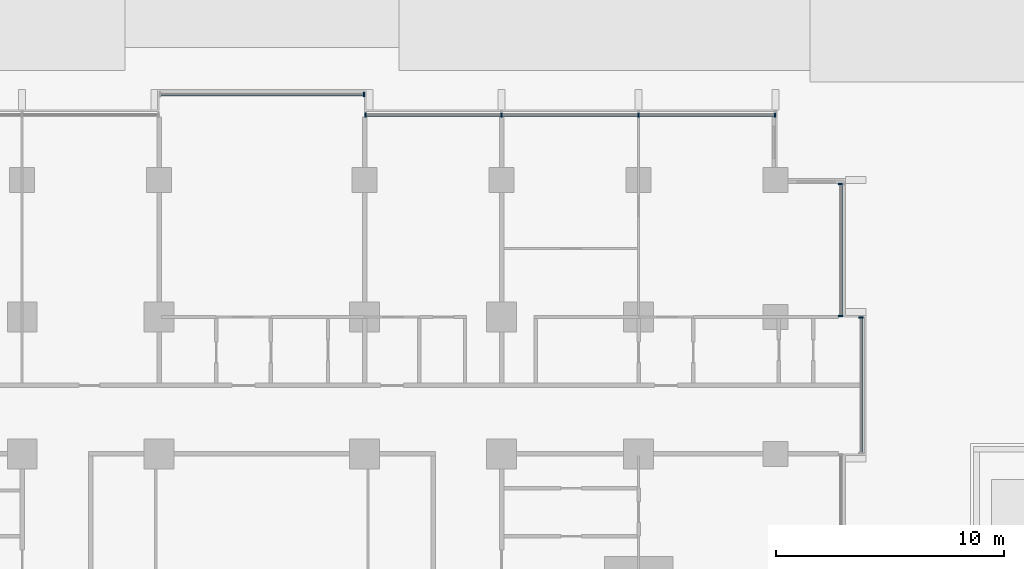
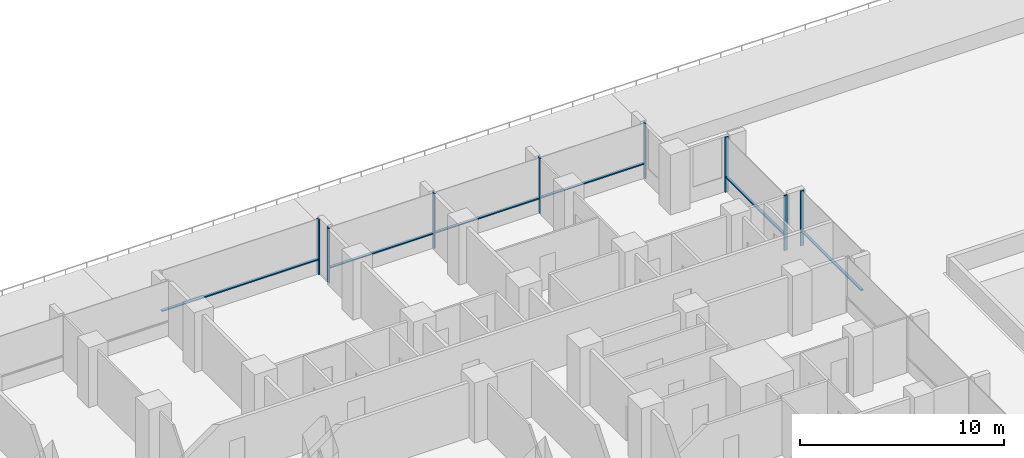
# One storey, part 6 of 25: 14 members, 4 elements without a shape of their own.
"""IFC4 building model written with IfcOpenShell, lengths in metres."""

from ifc_helpers import new_model, si_unit, direction, frame, origin, origin_2d, place, context, subcontext, project, spatial, rectangle, extrude, material, material_profile, profile_set, type_object, element, aggregate, save


model = new_model("IFC4")

# Units and contexts
model_context = context("Model", 3, precision=1e-05, world=origin(), true_north=direction((0.0, 1.0)))
body_context = subcontext(model_context, "Body", "Model", "MODEL_VIEW")
ifc_project = project(units=[si_unit("LENGTHUNIT", "METRE"), si_unit("AREAUNIT", "SQUARE_METRE"), si_unit("VOLUMEUNIT", "CUBIC_METRE"), si_unit("PLANEANGLEUNIT", "RADIAN"), si_unit("MASSUNIT", "GRAM", prefix="KILO")], contexts=[model_context])

# Site, building, storey
site_placement = place(None, origin())
site = spatial("IfcSite", under=ifc_project, at=site_placement, CompositionType="ELEMENT")
building_placement = place(site_placement, origin())
building = spatial("IfcBuilding", under=site, at=building_placement, Name="Finial Court Residences", CompositionType="ELEMENT")
storey_placement = place(building_placement, frame((0.0, 0.0, 32.5)))
storey = spatial("IfcBuildingStorey", under=building, at=storey_placement, Name="L06", CompositionType="ELEMENT", Elevation=32.5)

# Curtain wall, member
ifc_material = material(Name="Bronze anodised aluminium", Category="aluminium")
curtain_wall_type = type_object("IfcCurtainWallType", Name="Unitised curtain wall, lower and middle zones", PredefinedType="NOTDEFINED", material=ifc_material)
curtain_wall_1_placement = place(storey_placement, origin())
curtain_wall_1 = element("IfcCurtainWall", 1, at=curtain_wall_1_placement, inside=storey, type_object=curtain_wall_type, Name="E-L06-CW-N2", PredefinedType="NOTDEFINED")
ifc_material_profile_1 = material_profile(ifc_material, rectangle(XDim=0.199951171875, YDim=0.06494140625, at=origin_2d()), Name="CW1 mullion 65 x 200")
ifc_profile_set_1 = profile_set([ifc_material_profile_1], Name="Bronze anodised aluminium")
member_type_1 = type_object("IfcMemberType", Name="CW1 mullion 65 x 200", PredefinedType="MULLION", material=ifc_profile_set_1)
member_1_placement = place(storey_placement, frame((4.467529296875, 29.25, 0.0), z_axis=(0.0, 0.0, 1.0), x_axis=(0.0, 1.0, 0.0)))
member_1 = element("IfcMember", 2, at=member_1_placement, type_object=member_type_1, Name="CW1 mullion 2", PredefinedType="MULLION", context=body_context, shape_type="SweptSolid", body=[
    extrude(rectangle(XDim=0.199951171875, YDim=0.06494140625, at=origin_2d()), origin(), (0.0, 0.0, 1.0), 3.300048828125),
])

# Curtain wall, members
curtain_wall_2_placement = place(storey_placement, origin())
curtain_wall_2 = element("IfcCurtainWall", 3, at=curtain_wall_2_placement, inside=storey, type_object=curtain_wall_type, Name="E-L06-CW-N3", PredefinedType="NOTDEFINED")
member_2_placement = place(storey_placement, frame((4.532470703125, 28.35009765625, 0.0), z_axis=(0.0, 0.0, 1.0), x_axis=(0.0, 1.0, 0.0)))
member_2 = element("IfcMember", 4, at=member_2_placement, type_object=member_type_1, Name="CW1 mullion 1", PredefinedType="MULLION", context=body_context, shape_type="SweptSolid", body=[
    extrude(rectangle(XDim=0.199951171875, YDim=0.06494140625, at=origin_2d()), origin(), (0.0, 0.0, 1.0), 3.300048828125),
])
member_3_placement = place(storey_placement, frame((10.5, 28.35009765625, 0.0), z_axis=(0.0, 0.0, 1.0), x_axis=(0.0, 1.0, 0.0)))
member_3 = element("IfcMember", 5, at=member_3_placement, type_object=member_type_1, Name="CW1 mullion 2", PredefinedType="MULLION", context=body_context, shape_type="SweptSolid", body=[
    extrude(rectangle(XDim=0.199951171875, YDim=0.06494140625, at=origin_2d()), origin(), (0.0, 0.0, 1.0), 3.300048828125),
])
member_4_placement = place(storey_placement, frame((16.5, 28.35009765625, 0.0), z_axis=(0.0, 0.0, 1.0), x_axis=(0.0, 1.0, 0.0)))
member_4 = element("IfcMember", 6, at=member_4_placement, type_object=member_type_1, Name="CW1 mullion 3", PredefinedType="MULLION", context=body_context, shape_type="SweptSolid", body=[
    extrude(rectangle(XDim=0.199951171875, YDim=0.06494140625, at=origin_2d()), origin(), (0.0, 0.0, 1.0), 3.300048828125),
])
member_5_placement = place(storey_placement, frame((22.467529296875, 28.35009765625, 0.0), z_axis=(0.0, 0.0, 1.0), x_axis=(0.0, 1.0, 0.0)))
member_5 = element("IfcMember", 7, at=member_5_placement, type_object=member_type_1, Name="CW1 mullion 4", PredefinedType="MULLION", context=body_context, shape_type="SweptSolid", body=[
    extrude(rectangle(XDim=0.199951171875, YDim=0.06494140625, at=origin_2d()), origin(), (0.0, 0.0, 1.0), 3.300048828125),
])

# Curtain wall, member
curtain_wall_3_placement = place(storey_placement, origin())
curtain_wall_3 = element("IfcCurtainWall", 8, at=curtain_wall_3_placement, inside=storey, type_object=curtain_wall_type, Name="E-L06-CW-E5", PredefinedType="NOTDEFINED")
member_6_placement = place(storey_placement, frame((26.25, 19.467529296875, 0.0), z_axis=(0.0, 0.0, 1.0), x_axis=(-1.0, 0.0, 0.0)))
member_6 = element("IfcMember", 9, at=member_6_placement, type_object=member_type_1, Name="CW1 mullion 2", PredefinedType="MULLION", context=body_context, shape_type="SweptSolid", body=[
    extrude(rectangle(XDim=0.199951171875, YDim=0.06494140625, at=origin_2d()), origin(), (0.0, 0.0, 1.0), 3.300048828125),
])

# Curtain wall, members
curtain_wall_4_placement = place(storey_placement, origin())
curtain_wall_4 = element("IfcCurtainWall", 10, at=curtain_wall_4_placement, inside=storey, type_object=curtain_wall_type, Name="E-L06-CW-E6", PredefinedType="NOTDEFINED")
member_7_placement = place(storey_placement, frame((25.35009765625, 19.532470703125, 0.0), z_axis=(0.0, 0.0, 1.0), x_axis=(-1.0, 0.0, 0.0)))
member_7 = element("IfcMember", 11, at=member_7_placement, type_object=member_type_1, Name="CW1 mullion 1", PredefinedType="MULLION", context=body_context, shape_type="SweptSolid", body=[
    extrude(rectangle(XDim=0.199951171875, YDim=0.06494140625, at=origin_2d()), origin(), (0.0, 0.0, 1.0), 3.300048828125),
])
member_8_placement = place(storey_placement, frame((25.35009765625, 25.3173828125, 0.0), z_axis=(0.0, 0.0, 1.0), x_axis=(-1.0, 0.0, 0.0)))
member_8 = element("IfcMember", 12, at=member_8_placement, type_object=member_type_1, Name="CW1 mullion 2", PredefinedType="MULLION", context=body_context, shape_type="SweptSolid", body=[
    extrude(rectangle(XDim=0.199951171875, YDim=0.06494140625, at=origin_2d()), origin(), (0.0, 0.0, 1.0), 3.300048828125),
])

# Member
ifc_material_profile_2 = material_profile(ifc_material, rectangle(XDim=0.14990234375, YDim=0.06494140625, at=origin_2d()), Name="CW1 transom 65 x 150")
ifc_profile_set_2 = profile_set([ifc_material_profile_2], Name="Bronze anodised aluminium")
member_type_2 = type_object("IfcMemberType", Name="CW1 transom 65 x 150", PredefinedType="USERDEFINED", material=ifc_profile_set_2)
member_9_placement = place(storey_placement, frame((-4.43505859375, 29.25, 0.89990234375), z_axis=(1.0, 0.0, 0.0), x_axis=(0.0, 1.0, 0.0)))
member_9 = element("IfcMember", 13, at=member_9_placement, type_object=member_type_2, Name="CW1 transom 1.1", ObjectType="TRANSOM", PredefinedType="USERDEFINED", context=body_context, shape_type="SweptSolid", body=[
    extrude(rectangle(XDim=0.14990234375, YDim=0.06494140625, at=origin_2d()), origin(), (0.0, 0.0, 1.0), 8.8701171875),
])

aggregate(curtain_wall_1, [member_1, member_9])

member_10_placement = place(storey_placement, frame((4.56494140625, 28.35009765625, 0.89990234375), z_axis=(1.0, 0.0, 0.0), x_axis=(0.0, 1.0, 0.0)))
member_10 = element("IfcMember", 14, at=member_10_placement, type_object=member_type_2, Name="CW1 transom 1.1", ObjectType="TRANSOM", PredefinedType="USERDEFINED", context=body_context, shape_type="SweptSolid", body=[
    extrude(rectangle(XDim=0.14990234375, YDim=0.06494140625, at=origin_2d()), origin(), (0.0, 0.0, 1.0), 5.902587890625),
])

member_11_placement = place(storey_placement, frame((10.532470703125, 28.35009765625, 0.89990234375), z_axis=(1.0, 0.0, 0.0), x_axis=(0.0, 1.0, 0.0)))
member_11 = element("IfcMember", 15, at=member_11_placement, type_object=member_type_2, Name="CW1 transom 2.1", ObjectType="TRANSOM", PredefinedType="USERDEFINED", context=body_context, shape_type="SweptSolid", body=[
    extrude(rectangle(XDim=0.14990234375, YDim=0.06494140625, at=origin_2d()), origin(), (0.0, 0.0, 1.0), 5.93505859375),
])

member_12_placement = place(storey_placement, frame((16.532470703125, 28.35009765625, 0.89990234375), z_axis=(1.0, 0.0, 0.0), x_axis=(0.0, 1.0, 0.0)))
member_12 = element("IfcMember", 16, at=member_12_placement, type_object=member_type_2, Name="CW1 transom 3.1", ObjectType="TRANSOM", PredefinedType="USERDEFINED", context=body_context, shape_type="SweptSolid", body=[
    extrude(rectangle(XDim=0.14990234375, YDim=0.06494140625, at=origin_2d()), origin(), (0.0, 0.0, 1.0), 5.902587890625),
])

aggregate(curtain_wall_2, [member_2, member_3, member_4, member_5, member_10, member_11, member_12])

member_13_placement = place(storey_placement, frame((26.25, 13.56494140625, 0.89990234375), z_axis=(0.0, 1.0, 0.0), x_axis=(-1.0, 0.0, 0.0)))
member_13 = element("IfcMember", 17, at=member_13_placement, type_object=member_type_2, Name="CW1 transom 1.1", ObjectType="TRANSOM", PredefinedType="USERDEFINED", context=body_context, shape_type="SweptSolid", body=[
    extrude(rectangle(XDim=0.14990234375, YDim=0.06494140625, at=origin_2d()), origin(), (0.0, 0.0, 1.0), 5.8701171875),
])

aggregate(curtain_wall_3, [member_6, member_13])

member_14_placement = place(storey_placement, frame((25.35009765625, 19.56494140625, 0.89990234375), z_axis=(0.0, 1.0, 0.0), x_axis=(-1.0, 0.0, 0.0)))
member_14 = element("IfcMember", 18, at=member_14_placement, type_object=member_type_2, Name="CW1 transom 1.1", ObjectType="TRANSOM", PredefinedType="USERDEFINED", context=body_context, shape_type="SweptSolid", body=[
    extrude(rectangle(XDim=0.14990234375, YDim=0.06494140625, at=origin_2d()), origin(), (0.0, 0.0, 1.0), 5.719970703125),
])

aggregate(curtain_wall_4, [member_7, member_8, member_14])

save(model, "model.ifc")
